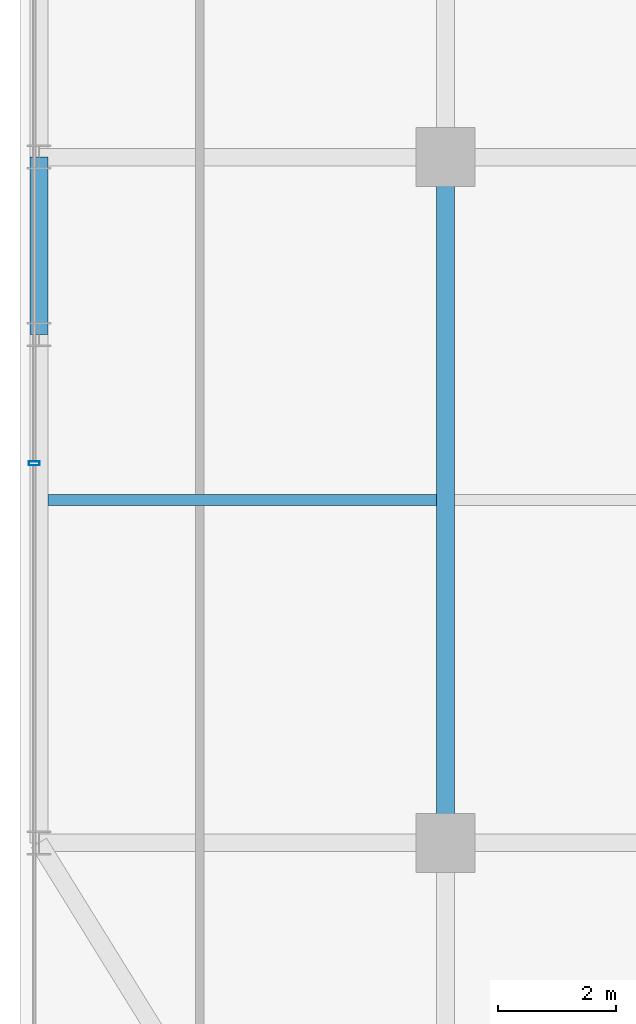
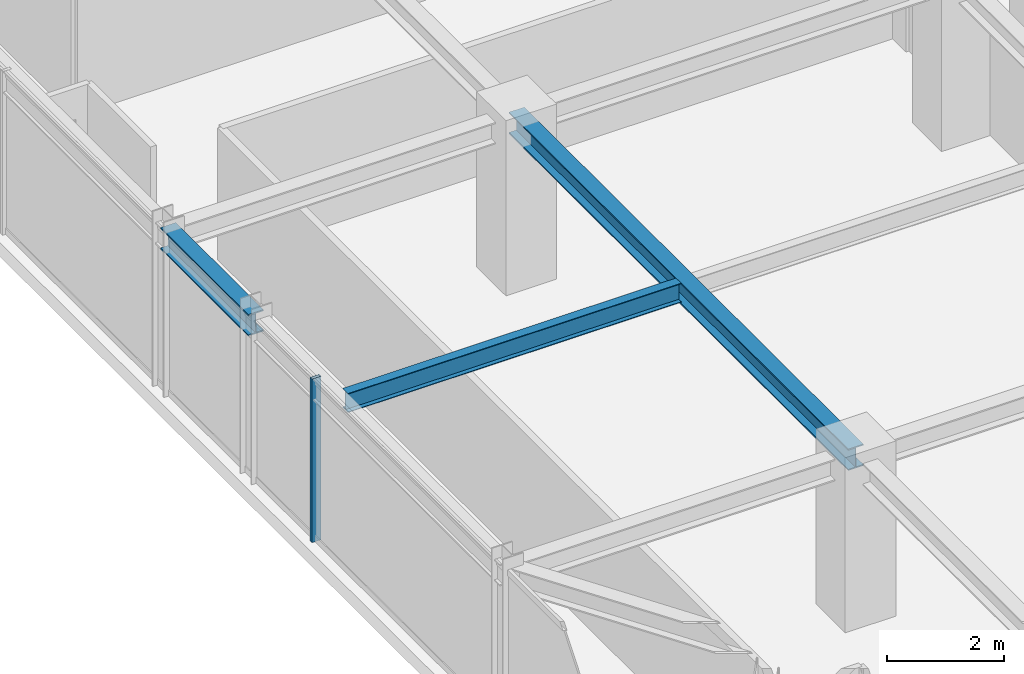
# One storey, part 8 of 36: 3 beams, 1 member, 1 element without a shape of its own.
"""IFC4 building model written with IfcOpenShell, lengths in metres."""

from ifc_helpers import new_model, si_unit, direction, frame, origin, origin_2d, place, context, subcontext, project, spatial, hollow_rectangle, i_section, extrude, source, transform, mapped, material, material_profile, profile_set, type_object, element, aggregate, save


model = new_model("IFC4")

# Units and contexts
model_context = context("Model", 3, precision=1e-05, world=origin(), true_north=direction((0.0, 1.0)))
body_context = subcontext(model_context, "Body", "Model", "MODEL_VIEW")
ifc_project = project(units=[si_unit("LENGTHUNIT", "METRE"), si_unit("AREAUNIT", "SQUARE_METRE"), si_unit("VOLUMEUNIT", "CUBIC_METRE"), si_unit("PLANEANGLEUNIT", "RADIAN"), si_unit("MASSUNIT", "GRAM", prefix="KILO")], contexts=[model_context])

# Site, building, storey
site_placement = place(None, origin())
site = spatial("IfcSite", under=ifc_project, at=site_placement, CompositionType="ELEMENT")
building_placement = place(site_placement, origin())
building = spatial("IfcBuilding", under=site, at=building_placement, Name="Nahalor Promenade Grand Hotel", CompositionType="ELEMENT")
storey_placement = place(building_placement, frame((0.0, 0.0, 223.39990234375)))
storey = spatial("IfcBuildingStorey", under=building, at=storey_placement, Name="L57", CompositionType="ELEMENT", Elevation=223.39990234375)

# Beams
ifc_material_1 = material(Name="Steel S355JR", Category="steel")
ifc_material_profile_1 = material_profile(ifc_material_1, i_section(OverallWidth=0.3, OverallDepth=0.45, WebThickness=0.014, FlangeThickness=0.026, at=origin_2d()), Name="HEB 450")
ifc_profile_set_1 = profile_set([ifc_material_profile_1], Name="Steel S355JR")
beam_type_1 = type_object("IfcBeamType", Name="Beam-Spandrel-HEB450", PredefinedType="SPANDREL", material=ifc_profile_set_1)
shared_shape_1 = source(origin(), body_context, "Body", "SweptSolid", [
    extrude(i_section(OverallWidth=0.3, OverallDepth=0.45, WebThickness=0.014, FlangeThickness=0.026, at=origin_2d()), origin(), (0.0, 0.0, 1.0), 3.0),
])
beam_1_placement = place(storey_placement, frame((-23.8798828125, -8.39990234375, 3.18505859375), z_axis=(0.0, 1.0, 0.0), x_axis=(-1.0, 0.0, 0.0)))
element("IfcBeam", 1, at=beam_1_placement, inside=storey, type_object=beam_type_1, Name="BM-L57-SP-W-1", PredefinedType="SPANDREL", context=body_context, shape_type="MappedRepresentation", body=[
    mapped(shared_shape_1, transform((0.0, 0.0, 0.0), scale=1.0)),
])
ifc_material_profile_2 = material_profile(ifc_material_1, i_section(OverallWidth=0.3, OverallDepth=0.45, WebThickness=0.014, FlangeThickness=0.026, at=origin_2d()), Name="HEB 450")
ifc_profile_set_2 = profile_set([ifc_material_profile_2], Name="Steel S355JR")
beam_type_2 = type_object("IfcBeamType", Name="Beam-Girder-HEB450", PredefinedType="BEAM", material=ifc_profile_set_2)
shared_shape_2 = source(origin(), body_context, "Body", "SweptSolid", [
    extrude(i_section(OverallWidth=0.3, OverallDepth=0.45, WebThickness=0.014, FlangeThickness=0.026, at=origin_2d()), origin(), (0.0, 0.0, 1.0), 11.60009765625),
])
beam_2_placement = place(storey_placement, frame((-17.0, -17.0, 3.18505859375), z_axis=(0.0, 1.0, 0.0), x_axis=(-1.0, 0.0, 0.0)))
element("IfcBeam", 2, at=beam_2_placement, inside=storey, type_object=beam_type_2, Name="BM-L57-GY-0-1", PredefinedType="BEAM", context=body_context, shape_type="MappedRepresentation", body=[
    mapped(shared_shape_2, transform((0.0, 0.0, 0.0), scale=1.0)),
])
ifc_material_profile_3 = material_profile(ifc_material_1, i_section(OverallWidth=0.18, OverallDepth=0.4, WebThickness=0.0086, FlangeThickness=0.0135, at=origin_2d()), Name="IPE 400")
ifc_profile_set_3 = profile_set([ifc_material_profile_3], Name="Steel S355JR")
beam_type_3 = type_object("IfcBeamType", Name="Beam-Joist-IPE400", PredefinedType="JOIST", material=ifc_profile_set_3)
shared_shape_3 = source(origin(), body_context, "Body", "SweptSolid", [
    extrude(i_section(OverallWidth=0.18, OverallDepth=0.4, WebThickness=0.0086, FlangeThickness=0.0135, at=origin_2d()), origin(), (0.0, 0.0, 1.0), 6.580078125),
])
beam_3_placement = place(storey_placement, frame((-23.72998046875, -11.199951171875, 3.210205078125), z_axis=(1.0, 0.0, 0.0), x_axis=(0.0, 1.0, 0.0)))
element("IfcBeam", 3, at=beam_3_placement, inside=storey, type_object=beam_type_3, Name="BM-L57-JSW-0-0", PredefinedType="JOIST", context=body_context, shape_type="MappedRepresentation", body=[
    mapped(shared_shape_3, transform((0.0, 0.0, 0.0), scale=1.0)),
])

# Curtain wall, member
ifc_material_2 = material(Name="Anodised Bronze Aluminium EN AW-6063 T6", Category="aluminium")
curtain_wall_type = type_object("IfcCurtainWallType", Name="CW2 Typical Hotel Flush Bronze Unitised Curtain Wall", PredefinedType="USERDEFINED", material=ifc_material_2)
curtain_wall_placement = place(storey_placement, origin())
curtain_wall = element("IfcCurtainWall", 4, at=curtain_wall_placement, inside=storey, type_object=curtain_wall_type, Name="L57 Curtain Wall CW-L57-W-1", ObjectType="UNITISED_CURTAIN_WALL", PredefinedType="USERDEFINED")
ifc_material_profile_4 = material_profile(ifc_material_2, hollow_rectangle(XDim=0.065, YDim=0.18, WallThickness=0.004, at=origin_2d()), Name="CWM 65x180x4")
ifc_profile_set_4 = profile_set([ifc_material_profile_4], Name="Anodised Bronze Aluminium EN AW-6063 T6")
member_type = type_object("IfcMemberType", Name="CWM2 Typical Bronze Mullion 65x180", PredefinedType="MULLION", material=ifc_profile_set_4)
shared_shape_4 = source(origin(), body_context, "Body", "SweptSolid", [
    extrude(hollow_rectangle(XDim=0.065, YDim=0.18, WallThickness=0.004, at=origin_2d()), origin(), (0.0, 0.0, 1.0), 3.41015625),
])
member_placement = place(storey_placement, frame((-23.9599609375, -10.580078125, 0.0), z_axis=(0.0, 0.0, 1.0), x_axis=(0.0, 1.0, 0.0)))
member = element("IfcMember", 5, at=member_placement, type_object=member_type, Name="CW-L57-W-1 Mullion 1", PredefinedType="MULLION", context=body_context, shape_type="MappedRepresentation", body=[
    mapped(shared_shape_4, transform((0.0, 0.0, 0.0), scale=1.0)),
])
aggregate(curtain_wall, [member])

save(model, "model.ifc")
